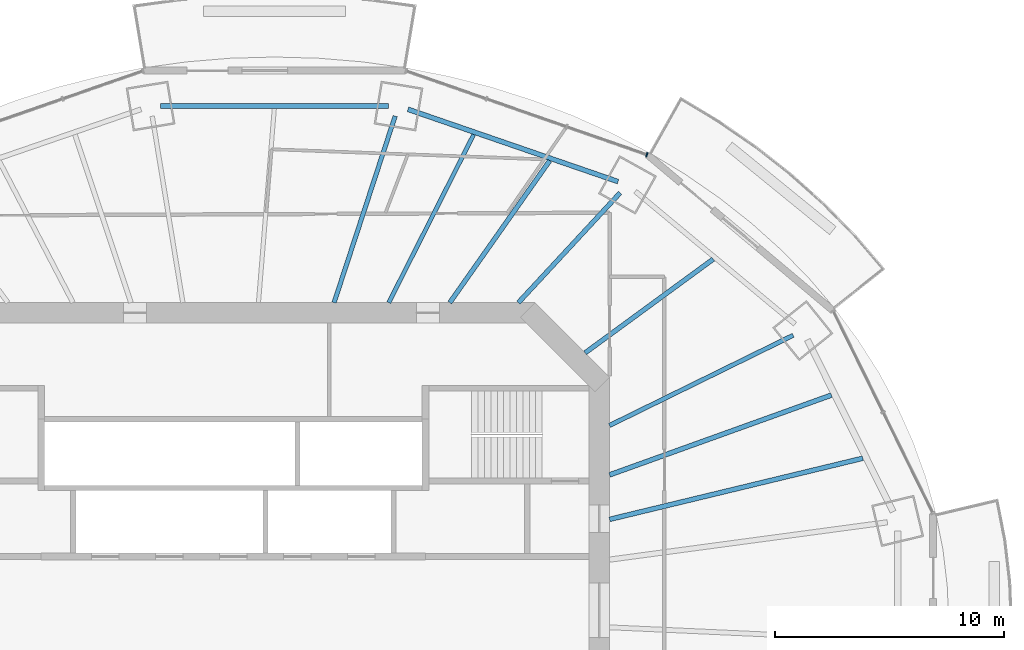
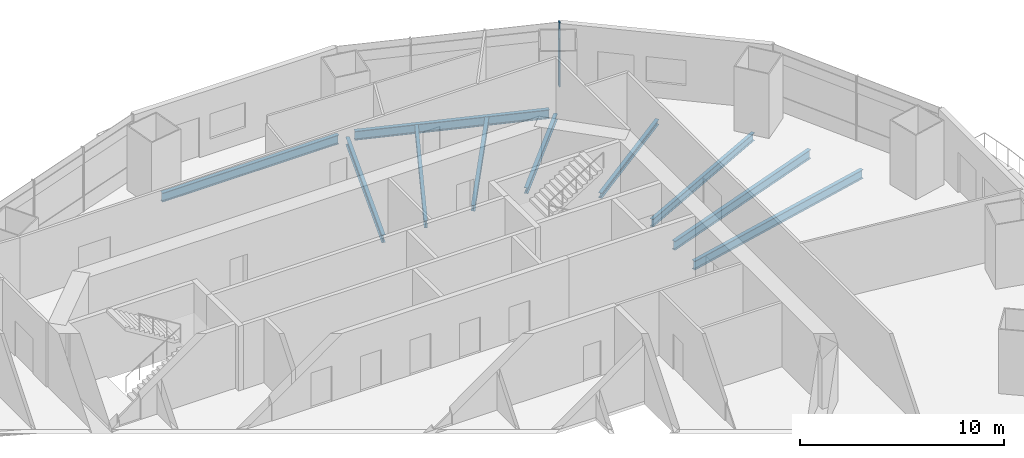
# One storey, part 7 of 16: 10 beams, 2 members, 2 elements without a shape of their own.
"""IFC4 building model written with IfcOpenShell, lengths in metres."""

from ifc_helpers import new_model, si_unit, direction, frame, origin, origin_2d, place, context, subcontext, project, spatial, rectangle, i_section, extrude, material, material_profile, profile_set, type_object, element, aggregate, save


model = new_model("IFC4")

# Units and contexts
model_context = context("Model", 3, precision=1e-05, world=origin(), true_north=direction((0.0, 1.0)))
body_context = subcontext(model_context, "Body", "Model", "MODEL_VIEW")
ifc_project = project(units=[si_unit("LENGTHUNIT", "METRE"), si_unit("AREAUNIT", "SQUARE_METRE"), si_unit("VOLUMEUNIT", "CUBIC_METRE"), si_unit("PLANEANGLEUNIT", "RADIAN"), si_unit("MASSUNIT", "GRAM", prefix="KILO")], contexts=[model_context])

# Site, building, storey
site_placement = place(None, origin())
site = spatial("IfcSite", under=ifc_project, at=site_placement, CompositionType="ELEMENT")
building_placement = place(site_placement, origin())
building = spatial("IfcBuilding", under=site, at=building_placement, Name="Marenthal Gate Tower", CompositionType="ELEMENT")
storey_placement = place(building_placement, frame((0.0, 0.0, 268.949951171875)))
storey = spatial("IfcBuildingStorey", under=building, at=storey_placement, Name="L60", CompositionType="ELEMENT", Elevation=268.949951171875)

# Curtain wall, member
ifc_material_1 = material(Name="Aluminium and glass", Category="aluminium")
curtain_wall_type_1 = type_object("IfcCurtainWallType", Name="Curtain wall typical mid", PredefinedType="NOTDEFINED", material=ifc_material_1)
curtain_wall_1_placement = place(storey_placement, origin())
curtain_wall_1 = element("IfcCurtainWall", 1, at=curtain_wall_1_placement, inside=storey, type_object=curtain_wall_type_1, Name="Curtain wall L60 bay 3", PredefinedType="NOTDEFINED")
ifc_material_2 = material(Name="Aluminium", Category="aluminium")
ifc_material_profile_1 = material_profile(ifc_material_2, rectangle(XDim=0.179931640625, YDim=0.06005859375, at=origin_2d()), Name="60x180 aluminium mullion")
ifc_profile_set_1 = profile_set([ifc_material_profile_1], Name="Aluminium")
member_type_1 = type_object("IfcMemberType", Name="Mullion 60x180 typical mid", PredefinedType="MULLION", material=ifc_profile_set_1)
member_1_placement = place(storey_placement, frame((18.083740234375, 19.920654296875, 0.0), z_axis=(0.0, 0.0, 1.0), x_axis=(-0.328669787971, -0.944444900709, 0.0)))
member_1 = element("IfcMember", 2, at=member_1_placement, type_object=member_type_1, Name="Mullion L60 bay 3.1", PredefinedType="MULLION", context=body_context, shape_type="SweptSolid", body=[
    extrude(rectangle(XDim=0.179931640625, YDim=0.06005859375, at=origin_2d()), origin(), (0.0, 0.0, 1.0), 2.85009765625),
])
aggregate(curtain_wall_1, [member_1])

ifc_material_3 = material(Name="Aluminium and glass", Category="aluminium")
curtain_wall_type_2 = type_object("IfcCurtainWallType", Name="Curtain wall crown clad", PredefinedType="NOTDEFINED", material=ifc_material_3)
curtain_wall_2_placement = place(storey_placement, origin())
curtain_wall_2 = element("IfcCurtainWall", 3, at=curtain_wall_2_placement, inside=storey, type_object=curtain_wall_type_2, Name="Curtain wall L60 bay 3 head band", PredefinedType="NOTDEFINED")
ifc_material_4 = material(Name="Aluminium", Category="aluminium")
ifc_material_profile_2 = material_profile(ifc_material_4, rectangle(XDim=0.199951171875, YDim=0.06005859375, at=origin_2d()), Name="60x200 aluminium mullion")
ifc_profile_set_2 = profile_set([ifc_material_profile_2], Name="Aluminium")
member_type_2 = type_object("IfcMemberType", Name="Mullion 60x200 crown clad", PredefinedType="MULLION", material=ifc_profile_set_2)
member_2_placement = place(storey_placement, frame((18.083740234375, 19.920654296875, 2.85009765625), z_axis=(0.0, 0.0, 1.0), x_axis=(-0.328669787971, -0.944444900709, 0.0)))
member_2 = element("IfcMember", 4, at=member_2_placement, type_object=member_type_2, Name="Mullion L60 bay 3.1", PredefinedType="MULLION", context=body_context, shape_type="SweptSolid", body=[
    extrude(rectangle(XDim=0.199951171875, YDim=0.06005859375, at=origin_2d()), origin(), (0.0, 0.0, 1.0), 1.0),
])
aggregate(curtain_wall_2, [member_2])

# Beams
ifc_material_5 = material(Name="Steel S355", Category="steel")
ifc_material_profile_3 = material_profile(ifc_material_5, i_section(OverallWidth=0.205078125, OverallDepth=0.31005859375, WebThickness=0.009521484375, FlangeThickness=0.016357421875, FilletRadius=0.0126953125, at=origin_2d()), Name="W310X74")
ifc_profile_set_3 = profile_set([ifc_material_profile_3], Name="Steel S355")
beam_type_1 = type_object("IfcBeamType", Name="W310X74 beam", PredefinedType="BEAM", material=ifc_profile_set_3)
beam_1_placement = place(storey_placement, frame((20.978515625, 15.347412109375, -0.3349609375), z_axis=(-0.80707616392, -0.590447343657, 0.0), x_axis=(0.590447343657, -0.80707616392, 0.0)))
element("IfcBeam", 5, at=beam_1_placement, inside=storey, type_object=beam_type_1, Name="BM-L60-19", PredefinedType="BEAM", context=body_context, shape_type="SweptSolid", body=[
    extrude(i_section(OverallWidth=0.205078125, OverallDepth=0.31005859375, WebThickness=0.009521484375, FlangeThickness=0.016357421875, FilletRadius=0.0126953125, at=origin_2d()), origin(), (0.0, 0.0, 1.0), 6.933349609375),
])
ifc_material_6 = material(Name="Steel S355", Category="steel")
ifc_material_profile_4 = material_profile(ifc_material_6, i_section(OverallWidth=0.205078125, OverallDepth=0.35302734375, WebThickness=0.009521484375, FlangeThickness=0.016845703125, FilletRadius=0.014892578125, at=origin_2d()), Name="W360X79")
ifc_profile_set_4 = profile_set([ifc_material_profile_4], Name="Steel S355")
beam_type_2 = type_object("IfcBeamType", Name="W360X79 beam", PredefinedType="BEAM", material=ifc_profile_set_4)
beam_2_placement = place(storey_placement, frame((16.9091796875, 18.246337890625, -0.3564453125), z_axis=(-0.679714700856, -0.733476601836, 0.0), x_axis=(0.733476601836, -0.679714700856, 0.0)))
element("IfcBeam", 6, at=beam_2_placement, inside=storey, type_object=beam_type_2, Name="BM-L60-03", PredefinedType="BEAM", context=body_context, shape_type="SweptSolid", body=[
    extrude(i_section(OverallWidth=0.205078125, OverallDepth=0.35302734375, WebThickness=0.009521484375, FlangeThickness=0.016845703125, FilletRadius=0.014892578125, at=origin_2d()), origin(), (0.0, 0.0, 1.0), 6.539306640625),
])
beam_3_placement = place(storey_placement, frame((13.83251953125, 19.656005859375, -0.3564453125), z_axis=(-0.5754902185, -0.81780866247, 0.0), x_axis=(0.81780866247, -0.5754902185, 0.0)))
element("IfcBeam", 7, at=beam_3_placement, inside=storey, type_object=beam_type_2, Name="BM-L60-20", PredefinedType="BEAM", context=body_context, shape_type="SweptSolid", body=[
    extrude(i_section(OverallWidth=0.205078125, OverallDepth=0.35302734375, WebThickness=0.009521484375, FlangeThickness=0.016845703125, FilletRadius=0.014892578125, at=origin_2d()), origin(), (0.0, 0.0, 1.0), 7.588623046875),
])
ifc_material_7 = material(Name="Steel S355", Category="steel")
ifc_material_profile_5 = material_profile(ifc_material_7, i_section(OverallWidth=0.180908203125, OverallDepth=0.4169921875, WebThickness=0.010986328125, FlangeThickness=0.018310546875, FilletRadius=0.01025390625, at=origin_2d()), Name="W410X85")
ifc_profile_set_5 = profile_set([ifc_material_profile_5], Name="Steel S355")
beam_type_3 = type_object("IfcBeamType", Name="W410X85 beam", PredefinedType="BEAM", material=ifc_profile_set_5)
beam_4_placement = place(storey_placement, frame((10.509765625, 20.7998046875, -0.388427734375), z_axis=(-0.450992572865, -0.892527702215, 0.0), x_axis=(0.892527702215, -0.450992572865, 0.0)))
element("IfcBeam", 8, at=beam_4_placement, inside=storey, type_object=beam_type_3, Name="BM-L60-21", PredefinedType="BEAM", context=body_context, shape_type="SweptSolid", body=[
    extrude(i_section(OverallWidth=0.180908203125, OverallDepth=0.4169921875, WebThickness=0.010986328125, FlangeThickness=0.018310546875, FilletRadius=0.01025390625, at=origin_2d()), origin(), (0.0, 0.0, 1.0), 8.23486328125),
])
ifc_material_8 = material(Name="Steel S355", Category="steel")
ifc_material_profile_6 = material_profile(ifc_material_8, i_section(OverallWidth=0.193115234375, OverallDepth=0.467041015625, WebThickness=0.011474609375, FlangeThickness=0.01904296875, FilletRadius=0.010009765625, at=origin_2d()), Name="W460X97")
ifc_profile_set_6 = profile_set([ifc_material_profile_6], Name="Steel S355")
beam_type_4 = type_object("IfcBeamType", Name="W460X97 beam", PredefinedType="BEAM", material=ifc_profile_set_6)
beam_5_placement = place(storey_placement, frame((24.47412109375, 12.018310546875, -0.413330078125), z_axis=(-0.897610443261, -0.440789623459, 0.0), x_axis=(0.440789623459, -0.897610443261, 0.0)))
element("IfcBeam", 9, at=beam_5_placement, inside=storey, type_object=beam_type_4, Name="BM-L60-02", PredefinedType="BEAM", context=body_context, shape_type="SweptSolid", body=[
    extrude(i_section(OverallWidth=0.193115234375, OverallDepth=0.467041015625, WebThickness=0.011474609375, FlangeThickness=0.01904296875, FilletRadius=0.010009765625, at=origin_2d()), origin(), (0.0, 0.0, 1.0), 8.939453125),
])
beam_6_placement = place(storey_placement, frame((7.076171875, 21.606201171875, -0.413330078125), z_axis=(-0.311231060278, -0.950334271253, 0.0), x_axis=(0.950334271253, -0.311231060278, 0.0)))
element("IfcBeam", 10, at=beam_6_placement, inside=storey, type_object=beam_type_4, Name="BM-L60-04", PredefinedType="BEAM", context=body_context, shape_type="SweptSolid", body=[
    extrude(i_section(OverallWidth=0.193115234375, OverallDepth=0.467041015625, WebThickness=0.011474609375, FlangeThickness=0.01904296875, FilletRadius=0.010009765625, at=origin_2d()), origin(), (0.0, 0.0, 1.0), 8.58251953125),
])
ifc_material_9 = material(Name="Steel S355", Category="steel")
ifc_material_profile_7 = material_profile(ifc_material_9, i_section(OverallWidth=0.2099609375, OverallDepth=0.535888671875, WebThickness=0.010986328125, FlangeThickness=0.017333984375, FilletRadius=0.0126953125, at=origin_2d()), Name="W530X101")
ifc_profile_set_7 = profile_set([ifc_material_profile_7], Name="Steel S355")
beam_type_5 = type_object("IfcBeamType", Name="W530X101 beam", PredefinedType="BEAM", material=ifc_profile_set_7)
beam_7_placement = place(storey_placement, frame((27.525390625, 6.64501953125, -0.447998046875), z_axis=(-0.972073275596, -0.234677538065, 0.0), x_axis=(0.234677538065, -0.972073275596, 0.0)))
element("IfcBeam", 11, at=beam_7_placement, inside=storey, type_object=beam_type_5, Name="BM-L60-17", PredefinedType="BEAM", context=body_context, shape_type="SweptSolid", body=[
    extrude(i_section(OverallWidth=0.2099609375, OverallDepth=0.535888671875, WebThickness=0.010986328125, FlangeThickness=0.017333984375, FilletRadius=0.0126953125, at=origin_2d()), origin(), (0.0, 0.0, 1.0), 11.3935546875),
])
beam_8_placement = place(storey_placement, frame((26.149658203125, 9.4052734375, -0.447998046875), z_axis=(-0.940983990127, -0.338451075231, 0.0), x_axis=(0.338451075231, -0.940983990127, 0.0)))
element("IfcBeam", 12, at=beam_8_placement, inside=storey, type_object=beam_type_5, Name="BM-L60-18", PredefinedType="BEAM", context=body_context, shape_type="SweptSolid", body=[
    extrude(i_section(OverallWidth=0.2099609375, OverallDepth=0.535888671875, WebThickness=0.010986328125, FlangeThickness=0.017333984375, FilletRadius=0.0126953125, at=origin_2d()), origin(), (0.0, 0.0, 1.0), 10.30810546875),
])
ifc_material_10 = material(Name="Steel S355", Category="steel")
ifc_material_profile_8 = material_profile(ifc_material_10, i_section(OverallWidth=0.2119140625, OverallDepth=0.5439453125, WebThickness=0.01318359375, FlangeThickness=0.021240234375, FilletRadius=0.0126953125, at=origin_2d()), Name="W530X123")
ifc_profile_set_8 = profile_set([ifc_material_profile_8], Name="Steel S355")
beam_type_6 = type_object("IfcBeamType", Name="W530X123 beam", PredefinedType="BEAM", material=ifc_profile_set_8)
beam_9_placement = place(storey_placement, frame((16.81884765625, 18.739990234375, -0.451904296875), z_axis=(-0.945541390223, 0.325501888434, 0.0), x_axis=(-0.325501888434, -0.945541390223, 0.0)))
element("IfcBeam", 13, at=beam_9_placement, inside=storey, type_object=beam_type_6, Name="BM-L60-43", PredefinedType="BEAM", context=body_context, shape_type="SweptSolid", body=[
    extrude(i_section(OverallWidth=0.2119140625, OverallDepth=0.5439453125, WebThickness=0.01318359375, FlangeThickness=0.021240234375, FilletRadius=0.0126953125, at=origin_2d()), origin(), (0.0, 0.0, 1.0), 9.7138671875),
])
beam_10_placement = place(storey_placement, frame((6.7822265625, 22.04443359375, -0.451904296875), z_axis=(-1.0, 0.0, 0.0), x_axis=(0.0, -1.0, 0.0)))
element("IfcBeam", 14, at=beam_10_placement, inside=storey, type_object=beam_type_6, Name="BM-L60-44", PredefinedType="BEAM", context=body_context, shape_type="SweptSolid", body=[
    extrude(i_section(OverallWidth=0.2119140625, OverallDepth=0.5439453125, WebThickness=0.01318359375, FlangeThickness=0.021240234375, FilletRadius=0.0126953125, at=origin_2d()), origin(), (0.0, 0.0, 1.0), 9.96435546875),
])

save(model, "model.ifc")
